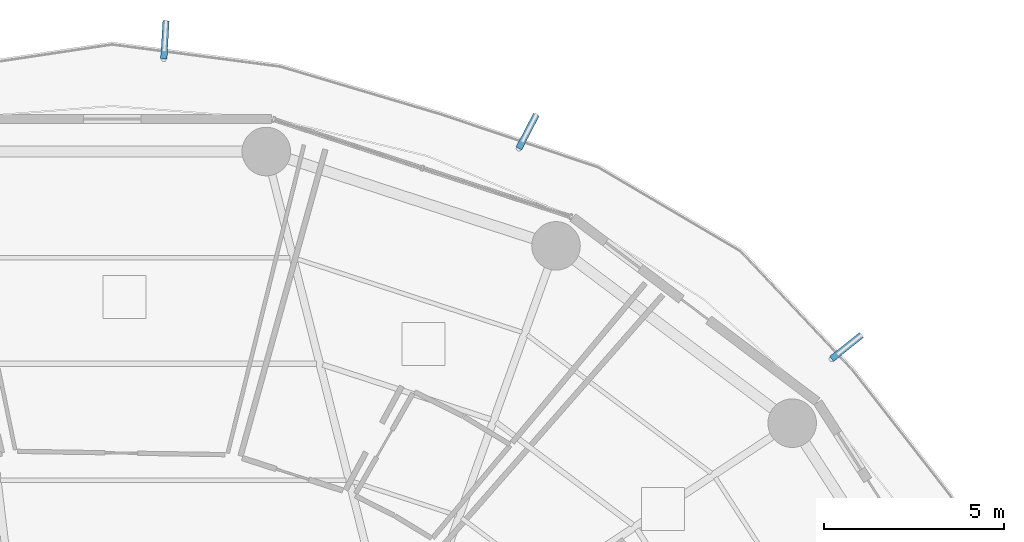
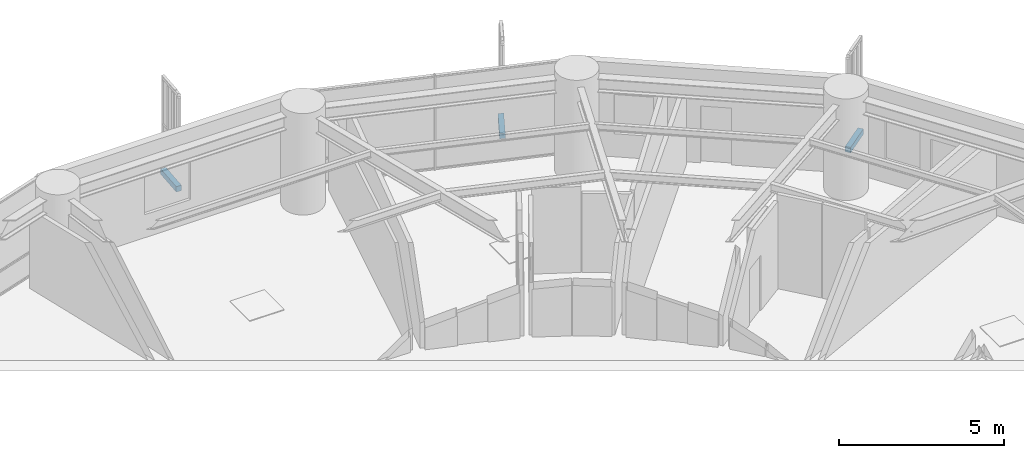
# One storey, part 34 of 38: 3 discrete accessories.
"""IFC4 building model written with IfcOpenShell, lengths in metres."""

import ifcopenshell
import ifcopenshell.guid

model = None  # the IFC model being written
_history = None  # IfcOwnerHistory: only IFC2X3 demands one
_inside = {}  # id of a spatial element -> (the spatial element, [elements in it])
_under = {}  # id of a project, library or spatial element -> (it, [spatial elements below it])
_declared = {}  # id of a project -> (the project, [libraries it declares])
_typed = {}  # id of a type object -> (the type object, [elements of that type])
_made_of = {}  # id of a material, layer set ... -> (it, [elements and type objects made of it])


def new_model(schema):
    """Start an empty IFC model of exactly this schema.

    Asked for "IFC4X3", IfcOpenShell would pick the latest addendum, in which some entities
    have other attributes; the version numbers below select the first issue.
    IFC2X3 requires an IfcOwnerHistory on every rooted entity: one is made here for all.
    """
    global model, _history
    if schema == "IFC4X3":
        model = ifcopenshell.file(schema_version=(4, 3, 0, 0))
    else:
        model = ifcopenshell.file(schema=schema)
    _inside.clear()
    _under.clear()
    _declared.clear()
    _typed.clear()
    _made_of.clear()
    _history = None
    if model.schema == "IFC2X3":
        org = make("IfcOrganization", Name="unknown")
        user = make(
            "IfcPersonAndOrganization",
            ThePerson=make("IfcPerson", FamilyName="unknown"),
            TheOrganization=org,
        )
        app = make(
            "IfcApplication",
            ApplicationDeveloper=org,
            Version="unknown",
            ApplicationFullName="unknown",
            ApplicationIdentifier="unknown",
        )
        _history = make(
            "IfcOwnerHistory",
            OwningUser=user,
            OwningApplication=app,
            ChangeAction="ADDED",
            CreationDate=0,
        )
    return model


def make(cls, **values):
    """One entity of the class cls with the attributes given. An attribute that is None is left unset."""
    return model.create_entity(
        cls, **{name: value for name, value in values.items() if value is not None}
    )


def rooted(cls, **values):
    """An entity with a GlobalId (a new one), such as an element, a storey or a relation."""
    return make(cls, GlobalId=ifcopenshell.guid.new(), OwnerHistory=_history, **values)


def si_unit(unit_type, name, prefix=None):
    """IfcSIUnit, for example si_unit("LENGTHUNIT", "METRE", prefix="MILLI")."""
    return make("IfcSIUnit", UnitType=unit_type, Prefix=prefix, Name=name)


def assignment(units):
    """IfcUnitAssignment: the units of a project."""
    return None if units is None else make("IfcUnitAssignment", Units=units)


def point(xyz):
    """IfcCartesianPoint."""
    return None if xyz is None else make("IfcCartesianPoint", Coordinates=xyz)


def direction(xyz):
    """IfcDirection."""
    return None if xyz is None else make("IfcDirection", DirectionRatios=xyz)


def frame(location, z_axis=None, x_axis=None):
    """IfcAxis2Placement3D, a coordinate frame: its origin and axes. An axis left out is left unset."""
    return make(
        "IfcAxis2Placement3D",
        Location=point(location),
        Axis=direction(z_axis),
        RefDirection=direction(x_axis),
    )


def frame_2d(location, x_axis=None):
    """IfcAxis2Placement2D, a coordinate frame in the plane: its origin and x axis."""
    return make(
        "IfcAxis2Placement2D", Location=point(location), RefDirection=direction(x_axis)
    )


def origin():
    """The frame at (0, 0, 0) with its axes left unset."""
    return frame((0.0, 0.0, 0.0))


def origin_2d():
    """The frame at (0, 0) in the plane with its x axis left unset."""
    return frame_2d((0.0, 0.0))


def place(relative_to, where):
    """IfcLocalPlacement: puts the frame where relative to a parent placement (None: the world)."""
    return make(
        "IfcLocalPlacement", PlacementRelTo=relative_to, RelativePlacement=where
    )


def context(
    kind, dimensions, precision=None, world=None, true_north=None, identifier=None
):
    """IfcGeometricRepresentationContext, for example the 3D "Model" context."""
    return make(
        "IfcGeometricRepresentationContext",
        ContextIdentifier=identifier,
        ContextType=kind,
        CoordinateSpaceDimension=dimensions,
        Precision=precision,
        WorldCoordinateSystem=world,
        TrueNorth=true_north,
    )


def subcontext(parent, identifier, kind, view, scale=None):
    """IfcGeometricRepresentationSubContext, for example "Body" below "Model"."""
    return make(
        "IfcGeometricRepresentationSubContext",
        ContextIdentifier=identifier,
        ContextType=kind,
        ParentContext=parent,
        TargetScale=scale,
        TargetView=view,
    )


def project(units=None, contexts=None):
    """IfcProject with its units and contexts."""
    return rooted(
        "IfcProject",
        Name="project",
        RepresentationContexts=contexts,
        UnitsInContext=assignment(units),
    )


def spatial(cls, under=None, at=None, **own):
    """A site, building, storey or space (cls), placed at a placement, below another one or the project."""
    s = rooted(cls, ObjectPlacement=at, **own)
    if under is not None:
        _under.setdefault(under.id(), (under, []))[1].append(s)
    return s


def profile(cls, at=None, kind="AREA", **sizes):
    """A parametric profile (cls). Its sizes go by their IFC names, for example OverallWidth=200.0."""
    return make(cls, ProfileType=kind, Position=at, **sizes)


def rectangle(**sizes):
    """IfcRectangleProfileDef."""
    return profile("IfcRectangleProfileDef", **sizes)


def extrude(swept, where, along, depth):
    """IfcExtrudedAreaSolid: the profile swept, set in the frame where, extruded along a direction by depth."""
    return make(
        "IfcExtrudedAreaSolid",
        SweptArea=swept,
        Position=where,
        ExtrudedDirection=direction(along),
        Depth=depth,
    )


def shape(context_of_items, identifier, shape_type, items):
    """IfcShapeRepresentation: the items that make up one representation, for example the "Body"."""
    return make(
        "IfcShapeRepresentation",
        ContextOfItems=context_of_items,
        RepresentationIdentifier=identifier,
        RepresentationType=shape_type,
        Items=items,
    )


def source(mapping_origin, context_of_items, identifier, shape_type, items):
    """IfcRepresentationMap: a shape defined once, which mapped items show again and again."""
    return make(
        "IfcRepresentationMap",
        MappingOrigin=mapping_origin,
        MappedRepresentation=shape(context_of_items, identifier, shape_type, items),
    )


def transform(
    local_origin,
    x_axis=None,
    y_axis=None,
    z_axis=None,
    scale=None,
    scale2=None,
    scale3=None,
    uniform=True,
):
    """IfcCartesianTransformationOperator3D, or its non-uniform kind. x_axis, y_axis, z_axis: its Axis1, 2, 3."""
    if uniform:
        return make(
            "IfcCartesianTransformationOperator3D",
            Axis1=direction(x_axis),
            Axis2=direction(y_axis),
            LocalOrigin=point(local_origin),
            Scale=scale,
            Axis3=direction(z_axis),
        )
    return make(
        "IfcCartesianTransformationOperator3DnonUniform",
        Axis1=direction(x_axis),
        Axis2=direction(y_axis),
        LocalOrigin=point(local_origin),
        Scale=scale,
        Axis3=direction(z_axis),
        Scale2=scale2,
        Scale3=scale3,
    )


def mapped(mapping_source, mapping_target):
    """IfcMappedItem: shows the shape of a source again, moved by a transform."""
    return make(
        "IfcMappedItem", MappingSource=mapping_source, MappingTarget=mapping_target
    )


def material(Name=None, Category=None):
    """IfcMaterial."""
    return make("IfcMaterial", Name=Name, Category=Category)


def made_of(thing, what):
    """Note that an element or type object is made of a material, layer set ...; save() writes the relation."""
    if what is not None:
        _made_of.setdefault(what.id(), (what, []))[1].append(thing)
    return thing


def type_object(cls, material=None, **own):
    """A type object (cls), such as IfcWallType, which elements share."""
    return made_of(rooted(cls, **own), material)


def element(
    cls,
    number,
    at=None,
    inside=None,
    cuts=None,
    type_object=None,
    material=None,
    context=None,
    identifier="Body",
    shape_type=None,
    held_by="IfcProductDefinitionShape",
    body=None,
    shapes=None,
    **own,
):
    """One element of the class cls, such as IfcWall. Its Tag is "e" and its number.

    at: its placement. inside: the storey or other place that contains it. cuts: it is an
    opening in that element (IfcRelVoidsElement). A single representation is given by context,
    identifier, shape_type and body (its items); several are given by shapes. held_by: the class
    of the entity that holds the representations. save() writes the other relations.
    """
    e = rooted(cls, Tag="e%d" % number, ObjectPlacement=at, **own)
    if body is not None:
        shapes = [shape(context, identifier, shape_type, body)]
    if shapes is not None:
        e.Representation = make(held_by, Representations=shapes)
    if inside is not None:
        _inside.setdefault(inside.id(), (inside, []))[1].append(e)
    if cuts is not None:
        rooted(
            "IfcRelVoidsElement", RelatingBuildingElement=cuts, RelatedOpeningElement=e
        )
    if type_object is not None:
        _typed.setdefault(type_object.id(), (type_object, []))[1].append(e)
    return made_of(e, material)


def aggregate(whole, parts):
    """IfcRelAggregates: a whole, such as a stair, and the parts it consists of."""
    return rooted("IfcRelAggregates", RelatingObject=whole, RelatedObjects=parts)


def save(model, path):
    """Write the relations noted so far, then the file.

    IfcRelAggregates (storeys below a building ...), IfcRelContainedInSpatialStructure (elements
    in a storey), IfcRelDefinesByType, IfcRelAssociatesMaterial and IfcRelDeclares: one each for
    every whole, place, type object, material and project.
    """
    for whole, parts in _under.values():
        aggregate(whole, parts)
    for where, things in _inside.values():
        rooted(
            "IfcRelContainedInSpatialStructure",
            RelatedElements=things,
            RelatingStructure=where,
        )
    for kind, things in _typed.values():
        rooted("IfcRelDefinesByType", RelatedObjects=things, RelatingType=kind)
    for what, things in _made_of.values():
        rooted("IfcRelAssociatesMaterial", RelatedObjects=things, RelatingMaterial=what)
    for by, libraries in _declared.values():
        rooted("IfcRelDeclares", RelatingContext=by, RelatedDefinitions=libraries)
    model.write(path)


model = new_model("IFC4")

# Units and contexts
model_context = context("Model", 3, precision=1e-05, world=origin(), true_north=direction((0.0, 1.0)))
body_context = subcontext(model_context, "Body", "Model", "MODEL_VIEW")
ifc_project = project(units=[si_unit("LENGTHUNIT", "METRE"), si_unit("AREAUNIT", "SQUARE_METRE"), si_unit("VOLUMEUNIT", "CUBIC_METRE"), si_unit("PLANEANGLEUNIT", "RADIAN"), si_unit("MASSUNIT", "GRAM", prefix="KILO")], contexts=[model_context])

# Site, building, storey
site_placement = place(None, origin())
site = spatial("IfcSite", under=ifc_project, at=site_placement, CompositionType="ELEMENT")
building_placement = place(site_placement, origin())
building = spatial("IfcBuilding", under=site, at=building_placement, Name="Kelanora Arch Commons", CompositionType="ELEMENT")
storey_placement = place(building_placement, frame((0.0, 0.0, 106.35009765625)))
storey = spatial("IfcBuildingStorey", under=building, at=storey_placement, Name="L27", CompositionType="ELEMENT", Elevation=106.35009765625)

# Discrete accessories
ifc_material = material(Name="Stainless steel 316 marine fin bracket", Category="steel")
discrete_accessory_type = type_object("IfcDiscreteAccessoryType", Name="ACC-FIN-BRK", PredefinedType="BRACKET", material=ifc_material)
shared_shape = source(origin(), body_context, "Body", "SweptSolid", [
    extrude(rectangle(XDim=1.05908203125, YDim=0.179931640625, at=origin_2d()), origin(), (0.0, 0.0, 1.0), 0.199951171875),
])
for number, where, z_axis, x_axis, name in (
    (1, (94.4169921875, 74.310302734375, -0.16015625), (0.0, 0.0, 1.0), (0.781302649748, 0.624152360803, 0.0), "Sweeping Fin Cantilever Spine Bracket L27-00"),
    (2, (85.55029296875, 80.3017578125, -0.16015625), (0.0, 0.0, 1.0), (0.459889850721, 0.887975971074, 0.0), "Sweeping Fin Cantilever Spine Bracket L27-01"),
    (3, (75.467529296875, 82.85009765625, -0.16015625), (0.0, 0.0, 1.0), (0.058957918535, 0.998260468937, 0.0), "Sweeping Fin Cantilever Spine Bracket L27-02"),
):
    element("IfcDiscreteAccessory", number, at=place(storey_placement, frame(where, z_axis=z_axis, x_axis=x_axis)), inside=storey, type_object=discrete_accessory_type, Name=name, PredefinedType="BRACKET", context=body_context, shape_type="MappedRepresentation", body=[
        mapped(shared_shape, transform((0.0, 0.0, 0.0), scale=1.0)),
    ])

save(model, "model.ifc")
